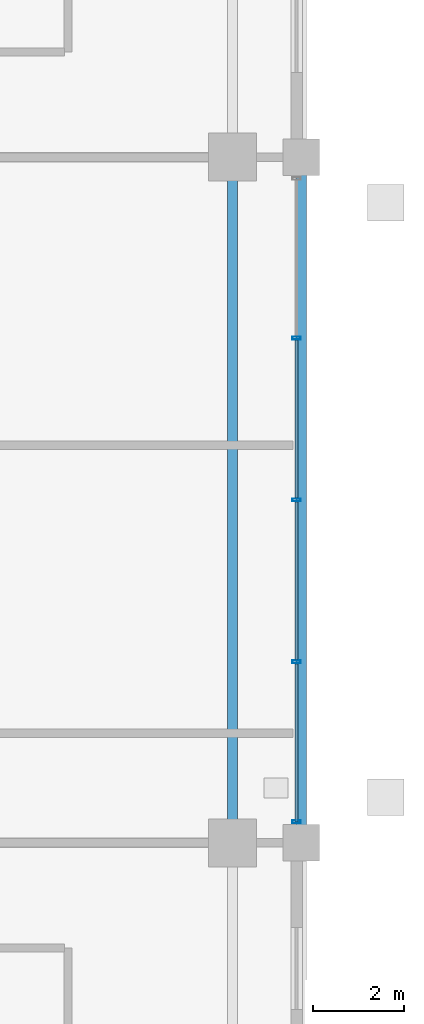
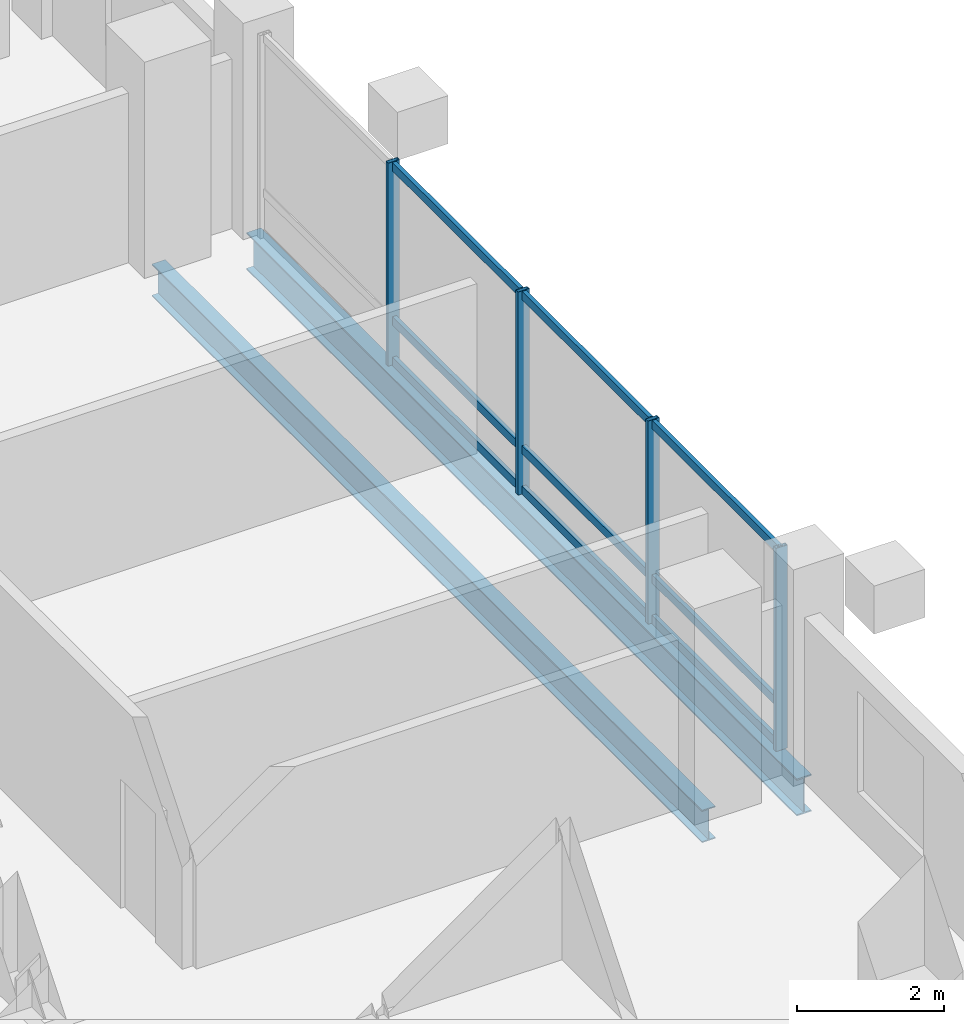
# One storey, part 10 of 24: 13 members, 2 beams, 1 element without a shape of its own.
"""IFC4 building model written with IfcOpenShell, lengths in metres."""

from ifc_helpers import new_model, si_unit, direction, frame, origin, origin_2d, place, context, subcontext, project, spatial, hollow_rectangle, i_section, extrude, material, layer, layer_set, material_profile, profile_set, type_object, element, aggregate, save


model = new_model("IFC4")

# Units and contexts
model_context = context("Model", 3, precision=1e-05, world=origin(), true_north=direction((0.0, 1.0)))
body_context = subcontext(model_context, "Body", "Model", "MODEL_VIEW")
ifc_project = project(units=[si_unit("LENGTHUNIT", "METRE"), si_unit("AREAUNIT", "SQUARE_METRE"), si_unit("VOLUMEUNIT", "CUBIC_METRE"), si_unit("PLANEANGLEUNIT", "RADIAN"), si_unit("MASSUNIT", "GRAM", prefix="KILO")], contexts=[model_context])

# Site, building, storey
site_placement = place(None, origin())
site = spatial("IfcSite", under=ifc_project, at=site_placement, CompositionType="ELEMENT")
building_placement = place(site_placement, origin())
building = spatial("IfcBuilding", under=site, at=building_placement, Name="Barlavira Tower and Art Museum", CompositionType="ELEMENT")
storey_placement = place(building_placement, frame((0.0, 0.0, 201.60009765625)))
storey = spatial("IfcBuildingStorey", under=building, at=storey_placement, Name="L52", CompositionType="ELEMENT", Elevation=201.60009765625)

# Curtain wall, members
ifc_material_1 = material(Name="Low-iron coastal laminated glass", Category="glass")
ifc_layer = layer(ifc_material_1, 0.199951171875, Name="Low-iron coastal laminated glass")
ifc_layer_set = layer_set([ifc_layer], Name="Low-iron coastal laminated glass")
curtain_wall_type = type_object("IfcCurtainWallType", Name="Pale-Metal Unitised Curtain Wall Zone 3", PredefinedType="NOTDEFINED", material=ifc_layer_set)
curtain_wall_placement = place(storey_placement, origin())
curtain_wall = element("IfcCurtainWall", 1, at=curtain_wall_placement, inside=storey, type_object=curtain_wall_type, Name="L52 Curtain Wall CW3-L52-E-B3", PredefinedType="NOTDEFINED")
ifc_material_2 = material(Name="Pale anodised aluminium", Category="aluminium")
ifc_material_profile_1 = material_profile(ifc_material_2, hollow_rectangle(XDim=0.06494140625, YDim=0.179931640625, WallThickness=0.00390625, at=origin_2d()), Name="ALU-MULL 65x180x4")
ifc_profile_set_1 = profile_set([ifc_material_profile_1], Name="Pale anodised aluminium")
member_type_1 = type_object("IfcMemberType", Name="Curtain Wall Pale-Metal Mullion 65x180", PredefinedType="MULLION", material=ifc_profile_set_1)
member_1_placement = place(storey_placement, frame((18.39990234375, -7.034912109375, 0.0), z_axis=(0.0, 0.0, 1.0), x_axis=(0.0, 1.0, 0.0)))
member_1 = element("IfcMember", 2, at=member_1_placement, type_object=member_type_1, Name="CW3-L52-E-B3 Mullion 0", PredefinedType="MULLION", context=body_context, shape_type="SweptSolid", body=[
    extrude(hollow_rectangle(XDim=0.06494140625, YDim=0.179931640625, WallThickness=0.00390625, at=origin_2d()), origin(), (0.0, 0.0, 1.0), 3.3798828125),
])
member_2_placement = place(storey_placement, frame((18.39990234375, -3.5400390625, 0.0), z_axis=(0.0, 0.0, 1.0), x_axis=(0.0, 1.0, 0.0)))
member_2 = element("IfcMember", 3, at=member_2_placement, type_object=member_type_1, Name="CW3-L52-E-B3 Mullion 1", PredefinedType="MULLION", context=body_context, shape_type="SweptSolid", body=[
    extrude(hollow_rectangle(XDim=0.06494140625, YDim=0.179931640625, WallThickness=0.00390625, at=origin_2d()), origin(), (0.0, 0.0, 1.0), 3.3798828125),
])
member_3_placement = place(storey_placement, frame((18.39990234375, 0.0, 0.0), z_axis=(0.0, 0.0, 1.0), x_axis=(0.0, 1.0, 0.0)))
member_3 = element("IfcMember", 4, at=member_3_placement, type_object=member_type_1, Name="CW3-L52-E-B3 Mullion 2", PredefinedType="MULLION", context=body_context, shape_type="SweptSolid", body=[
    extrude(hollow_rectangle(XDim=0.06494140625, YDim=0.179931640625, WallThickness=0.00390625, at=origin_2d()), origin(), (0.0, 0.0, 1.0), 3.3798828125),
])
member_4_placement = place(storey_placement, frame((18.39990234375, 3.5400390625, 0.0), z_axis=(0.0, 0.0, 1.0), x_axis=(0.0, 1.0, 0.0)))
member_4 = element("IfcMember", 5, at=member_4_placement, type_object=member_type_1, Name="CW3-L52-E-B3 Mullion 3", PredefinedType="MULLION", context=body_context, shape_type="SweptSolid", body=[
    extrude(hollow_rectangle(XDim=0.06494140625, YDim=0.179931640625, WallThickness=0.00390625, at=origin_2d()), origin(), (0.0, 0.0, 1.0), 3.3798828125),
])
ifc_material_profile_2 = material_profile(ifc_material_2, hollow_rectangle(XDim=0.06494140625, YDim=0.139892578125, WallThickness=0.00390625, at=origin_2d()), Name="ALU-TRAN 65x140x4")
ifc_profile_set_2 = profile_set([ifc_material_profile_2], Name="Pale anodised aluminium")
member_type_2 = type_object("IfcMemberType", Name="Curtain Wall Pale-Metal Transom 65x140", PredefinedType="USERDEFINED", material=ifc_profile_set_2)
member_5_placement = place(storey_placement, frame((18.39990234375, -7.034912109375, 0.06982421875), z_axis=(0.0, 1.0, 0.0), x_axis=(-1.0, 0.0, 0.0)))
member_5 = element("IfcMember", 6, at=member_5_placement, type_object=member_type_2, Name="CW3-L52-E-B3 Transom 0.1", ObjectType="TRANSOM", PredefinedType="USERDEFINED", context=body_context, shape_type="SweptSolid", body=[
    extrude(hollow_rectangle(XDim=0.06494140625, YDim=0.139892578125, WallThickness=0.00390625, at=origin_2d()), origin(), (0.0, 0.0, 1.0), 3.449951171875),
])
member_6_placement = place(storey_placement, frame((18.39990234375, -7.034912109375, 0.743896484375), z_axis=(0.0, 1.0, 0.0), x_axis=(-1.0, 0.0, 0.0)))
member_6 = element("IfcMember", 7, at=member_6_placement, type_object=member_type_2, Name="CW3-L52-E-B3 Transom 0.2", ObjectType="TRANSOM", PredefinedType="USERDEFINED", context=body_context, shape_type="SweptSolid", body=[
    extrude(hollow_rectangle(XDim=0.06494140625, YDim=0.139892578125, WallThickness=0.00390625, at=origin_2d()), origin(), (0.0, 0.0, 1.0), 3.449951171875),
])
member_7_placement = place(storey_placement, frame((18.39990234375, -7.034912109375, 3.309814453125), z_axis=(0.0, 1.0, 0.0), x_axis=(-1.0, 0.0, 0.0)))
member_7 = element("IfcMember", 8, at=member_7_placement, type_object=member_type_2, Name="CW3-L52-E-B3 Transom 0.3", ObjectType="TRANSOM", PredefinedType="USERDEFINED", context=body_context, shape_type="SweptSolid", body=[
    extrude(hollow_rectangle(XDim=0.06494140625, YDim=0.139892578125, WallThickness=0.00390625, at=origin_2d()), origin(), (0.0, 0.0, 1.0), 3.449951171875),
])
member_8_placement = place(storey_placement, frame((18.39990234375, -3.4951171875, 0.06982421875), z_axis=(0.0, 1.0, 0.0), x_axis=(-1.0, 0.0, 0.0)))
member_8 = element("IfcMember", 9, at=member_8_placement, type_object=member_type_2, Name="CW3-L52-E-B3 Transom 1.1", ObjectType="TRANSOM", PredefinedType="USERDEFINED", context=body_context, shape_type="SweptSolid", body=[
    extrude(hollow_rectangle(XDim=0.06494140625, YDim=0.139892578125, WallThickness=0.00390625, at=origin_2d()), origin(), (0.0, 0.0, 1.0), 3.4501953125),
])
member_9_placement = place(storey_placement, frame((18.39990234375, -3.4951171875, 0.743896484375), z_axis=(0.0, 1.0, 0.0), x_axis=(-1.0, 0.0, 0.0)))
member_9 = element("IfcMember", 10, at=member_9_placement, type_object=member_type_2, Name="CW3-L52-E-B3 Transom 1.2", ObjectType="TRANSOM", PredefinedType="USERDEFINED", context=body_context, shape_type="SweptSolid", body=[
    extrude(hollow_rectangle(XDim=0.06494140625, YDim=0.139892578125, WallThickness=0.00390625, at=origin_2d()), origin(), (0.0, 0.0, 1.0), 3.4501953125),
])
member_10_placement = place(storey_placement, frame((18.39990234375, -3.4951171875, 3.309814453125), z_axis=(0.0, 1.0, 0.0), x_axis=(-1.0, 0.0, 0.0)))
member_10 = element("IfcMember", 11, at=member_10_placement, type_object=member_type_2, Name="CW3-L52-E-B3 Transom 1.3", ObjectType="TRANSOM", PredefinedType="USERDEFINED", context=body_context, shape_type="SweptSolid", body=[
    extrude(hollow_rectangle(XDim=0.06494140625, YDim=0.139892578125, WallThickness=0.00390625, at=origin_2d()), origin(), (0.0, 0.0, 1.0), 3.4501953125),
])
member_11_placement = place(storey_placement, frame((18.39990234375, 0.044921875, 0.06982421875), z_axis=(0.0, 1.0, 0.0), x_axis=(-1.0, 0.0, 0.0)))
member_11 = element("IfcMember", 12, at=member_11_placement, type_object=member_type_2, Name="CW3-L52-E-B3 Transom 2.1", ObjectType="TRANSOM", PredefinedType="USERDEFINED", context=body_context, shape_type="SweptSolid", body=[
    extrude(hollow_rectangle(XDim=0.06494140625, YDim=0.139892578125, WallThickness=0.00390625, at=origin_2d()), origin(), (0.0, 0.0, 1.0), 3.4501953125),
])
member_12_placement = place(storey_placement, frame((18.39990234375, 0.044921875, 0.743896484375), z_axis=(0.0, 1.0, 0.0), x_axis=(-1.0, 0.0, 0.0)))
member_12 = element("IfcMember", 13, at=member_12_placement, type_object=member_type_2, Name="CW3-L52-E-B3 Transom 2.2", ObjectType="TRANSOM", PredefinedType="USERDEFINED", context=body_context, shape_type="SweptSolid", body=[
    extrude(hollow_rectangle(XDim=0.06494140625, YDim=0.139892578125, WallThickness=0.00390625, at=origin_2d()), origin(), (0.0, 0.0, 1.0), 3.4501953125),
])
member_13_placement = place(storey_placement, frame((18.39990234375, 0.044921875, 3.309814453125), z_axis=(0.0, 1.0, 0.0), x_axis=(-1.0, 0.0, 0.0)))
member_13 = element("IfcMember", 14, at=member_13_placement, type_object=member_type_2, Name="CW3-L52-E-B3 Transom 2.3", ObjectType="TRANSOM", PredefinedType="USERDEFINED", context=body_context, shape_type="SweptSolid", body=[
    extrude(hollow_rectangle(XDim=0.06494140625, YDim=0.139892578125, WallThickness=0.00390625, at=origin_2d()), origin(), (0.0, 0.0, 1.0), 3.4501953125),
])
aggregate(curtain_wall, [member_1, member_2, member_3, member_4, member_5, member_6, member_7, member_8, member_9, member_10, member_11, member_12, member_13])

# Beams
ifc_material_3 = material(Name="Steel S355", Category="steel")
ifc_material_profile_3 = material_profile(ifc_material_3, i_section(OverallWidth=0.22998046875, OverallDepth=0.616943359375, WebThickness=0.01318359375, FlangeThickness=0.022216796875, at=origin_2d()), Name="W610x140.0")
ifc_profile_set_3 = profile_set([ifc_material_profile_3], Name="Steel S355")
beam_type_1 = type_object("IfcBeamType", Name="Upper Shaft Spandrel Edge Beam W610x140 Steel S355", PredefinedType="SPANDREL", material=ifc_profile_set_3)
beam_1_placement = place(storey_placement, frame((18.5, -7.5, -0.528564453125), z_axis=(0.0, 1.0, 0.0), x_axis=(-1.0, 0.0, 0.0)))
element("IfcBeam", 15, at=beam_1_placement, inside=storey, type_object=beam_type_1, Name="L52 Spandrel 6", PredefinedType="SPANDREL", context=body_context, shape_type="SweptSolid", body=[
    extrude(i_section(OverallWidth=0.22998046875, OverallDepth=0.616943359375, WebThickness=0.01318359375, FlangeThickness=0.022216796875, at=origin_2d()), origin(), (0.0, 0.0, 1.0), 15.0),
])
ifc_material_profile_4 = material_profile(ifc_material_3, i_section(OverallWidth=0.2109375, OverallDepth=0.5390625, WebThickness=0.01171875, FlangeThickness=0.018798828125, at=origin_2d()), Name="W530x109.0")
ifc_profile_set_4 = profile_set([ifc_material_profile_4], Name="Steel S355")
beam_type_2 = type_object("IfcBeamType", Name="Zone 3-4 Primary Floor Girder W530x109 Steel S355", PredefinedType="BEAM", material=ifc_profile_set_4)
beam_2_placement = place(storey_placement, frame((17.0, -7.5, -0.489501953125), z_axis=(0.0, 1.0, 0.0), x_axis=(-1.0, 0.0, 0.0)))
element("IfcBeam", 16, at=beam_2_placement, inside=storey, type_object=beam_type_2, Name="L52 Girder M-E2", PredefinedType="BEAM", context=body_context, shape_type="SweptSolid", body=[
    extrude(i_section(OverallWidth=0.2109375, OverallDepth=0.5390625, WebThickness=0.01171875, FlangeThickness=0.018798828125, at=origin_2d()), origin(), (0.0, 0.0, 1.0), 15.0),
])

save(model, "model.ifc")
